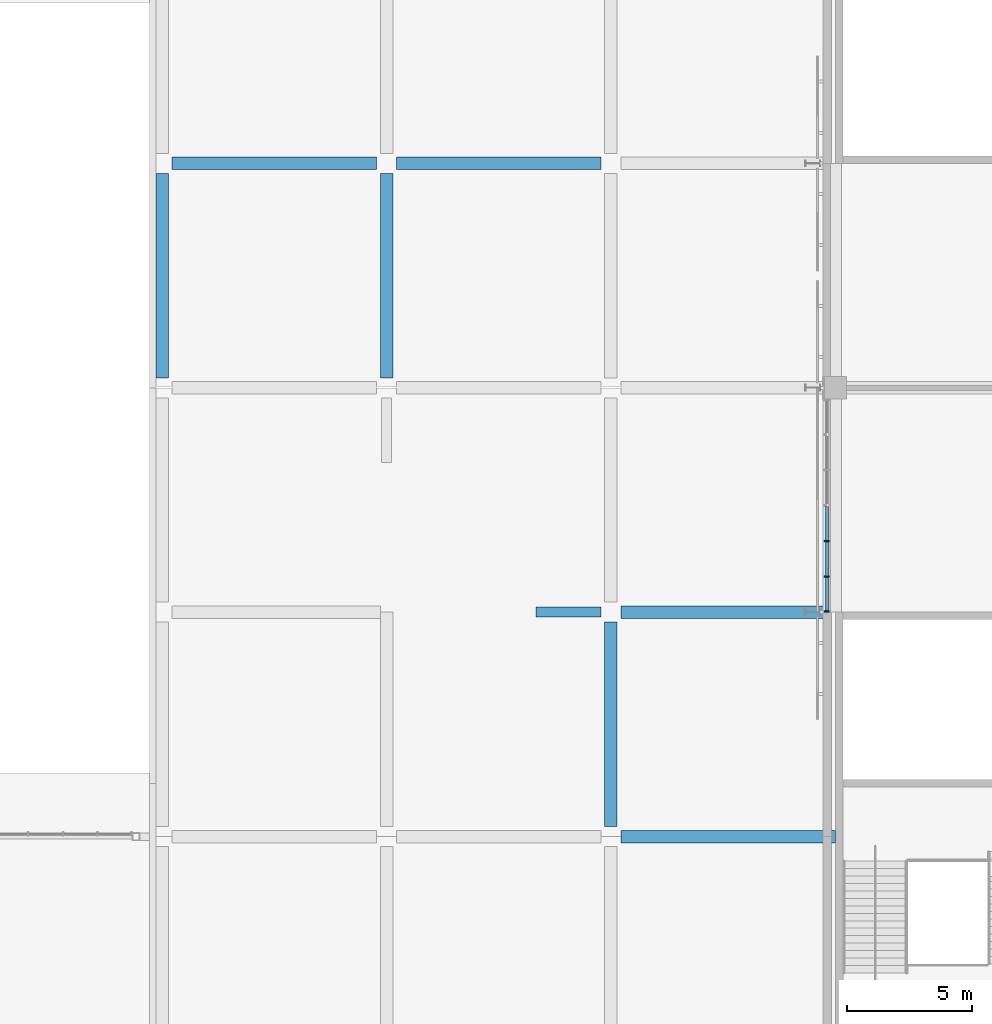
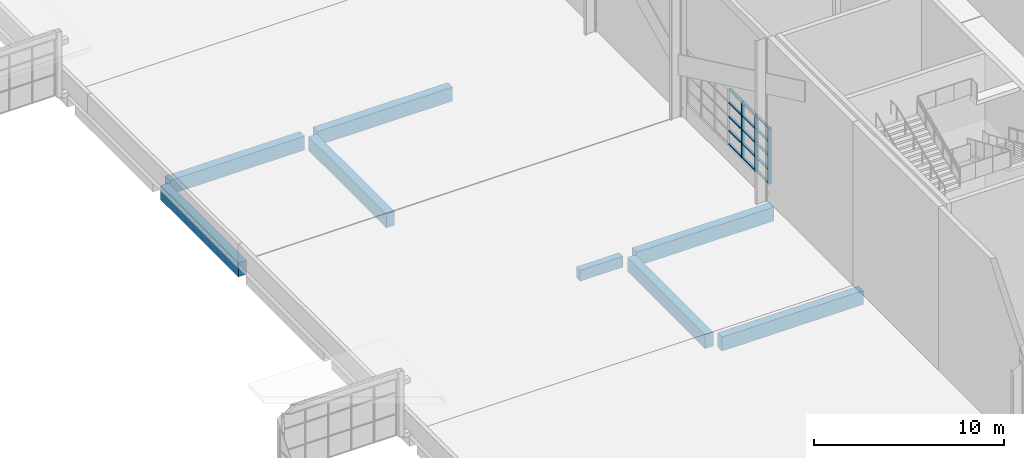
# One storey, part 27 of 182: 18 members, 8 beams, 1 element without a shape of its own.
"""IFC4 building model written with IfcOpenShell, lengths in metres."""

import ifcopenshell
import ifcopenshell.guid

model = None  # the IFC model being written
_history = None  # IfcOwnerHistory: only IFC2X3 demands one
_inside = {}  # id of a spatial element -> (the spatial element, [elements in it])
_under = {}  # id of a project, library or spatial element -> (it, [spatial elements below it])
_declared = {}  # id of a project -> (the project, [libraries it declares])
_typed = {}  # id of a type object -> (the type object, [elements of that type])
_made_of = {}  # id of a material, layer set ... -> (it, [elements and type objects made of it])


def new_model(schema):
    """Start an empty IFC model of exactly this schema.

    Asked for "IFC4X3", IfcOpenShell would pick the latest addendum, in which some entities
    have other attributes; the version numbers below select the first issue.
    IFC2X3 requires an IfcOwnerHistory on every rooted entity: one is made here for all.
    """
    global model, _history
    if schema == "IFC4X3":
        model = ifcopenshell.file(schema_version=(4, 3, 0, 0))
    else:
        model = ifcopenshell.file(schema=schema)
    _inside.clear()
    _under.clear()
    _declared.clear()
    _typed.clear()
    _made_of.clear()
    _history = None
    if model.schema == "IFC2X3":
        org = make("IfcOrganization", Name="unknown")
        user = make(
            "IfcPersonAndOrganization",
            ThePerson=make("IfcPerson", FamilyName="unknown"),
            TheOrganization=org,
        )
        app = make(
            "IfcApplication",
            ApplicationDeveloper=org,
            Version="unknown",
            ApplicationFullName="unknown",
            ApplicationIdentifier="unknown",
        )
        _history = make(
            "IfcOwnerHistory",
            OwningUser=user,
            OwningApplication=app,
            ChangeAction="ADDED",
            CreationDate=0,
        )
    return model


def make(cls, **values):
    """One entity of the class cls with the attributes given. An attribute that is None is left unset."""
    return model.create_entity(
        cls, **{name: value for name, value in values.items() if value is not None}
    )


def rooted(cls, **values):
    """An entity with a GlobalId (a new one), such as an element, a storey or a relation."""
    return make(cls, GlobalId=ifcopenshell.guid.new(), OwnerHistory=_history, **values)


def si_unit(unit_type, name, prefix=None):
    """IfcSIUnit, for example si_unit("LENGTHUNIT", "METRE", prefix="MILLI")."""
    return make("IfcSIUnit", UnitType=unit_type, Prefix=prefix, Name=name)


def assignment(units):
    """IfcUnitAssignment: the units of a project."""
    return None if units is None else make("IfcUnitAssignment", Units=units)


def point(xyz):
    """IfcCartesianPoint."""
    return None if xyz is None else make("IfcCartesianPoint", Coordinates=xyz)


def direction(xyz):
    """IfcDirection."""
    return None if xyz is None else make("IfcDirection", DirectionRatios=xyz)


def frame(location, z_axis=None, x_axis=None):
    """IfcAxis2Placement3D, a coordinate frame: its origin and axes. An axis left out is left unset."""
    return make(
        "IfcAxis2Placement3D",
        Location=point(location),
        Axis=direction(z_axis),
        RefDirection=direction(x_axis),
    )


def frame_2d(location, x_axis=None):
    """IfcAxis2Placement2D, a coordinate frame in the plane: its origin and x axis."""
    return make(
        "IfcAxis2Placement2D", Location=point(location), RefDirection=direction(x_axis)
    )


def origin():
    """The frame at (0, 0, 0) with its axes left unset."""
    return frame((0.0, 0.0, 0.0))


def origin_2d():
    """The frame at (0, 0) in the plane with its x axis left unset."""
    return frame_2d((0.0, 0.0))


def place(relative_to, where):
    """IfcLocalPlacement: puts the frame where relative to a parent placement (None: the world)."""
    return make(
        "IfcLocalPlacement", PlacementRelTo=relative_to, RelativePlacement=where
    )


def context(
    kind, dimensions, precision=None, world=None, true_north=None, identifier=None
):
    """IfcGeometricRepresentationContext, for example the 3D "Model" context."""
    return make(
        "IfcGeometricRepresentationContext",
        ContextIdentifier=identifier,
        ContextType=kind,
        CoordinateSpaceDimension=dimensions,
        Precision=precision,
        WorldCoordinateSystem=world,
        TrueNorth=true_north,
    )


def subcontext(parent, identifier, kind, view, scale=None):
    """IfcGeometricRepresentationSubContext, for example "Body" below "Model"."""
    return make(
        "IfcGeometricRepresentationSubContext",
        ContextIdentifier=identifier,
        ContextType=kind,
        ParentContext=parent,
        TargetScale=scale,
        TargetView=view,
    )


def project(units=None, contexts=None):
    """IfcProject with its units and contexts."""
    return rooted(
        "IfcProject",
        Name="project",
        RepresentationContexts=contexts,
        UnitsInContext=assignment(units),
    )


def spatial(cls, under=None, at=None, **own):
    """A site, building, storey or space (cls), placed at a placement, below another one or the project."""
    s = rooted(cls, ObjectPlacement=at, **own)
    if under is not None:
        _under.setdefault(under.id(), (under, []))[1].append(s)
    return s


def profile(cls, at=None, kind="AREA", **sizes):
    """A parametric profile (cls). Its sizes go by their IFC names, for example OverallWidth=200.0."""
    return make(cls, ProfileType=kind, Position=at, **sizes)


def rectangle(**sizes):
    """IfcRectangleProfileDef."""
    return profile("IfcRectangleProfileDef", **sizes)


def extrude(swept, where, along, depth):
    """IfcExtrudedAreaSolid: the profile swept, set in the frame where, extruded along a direction by depth."""
    return make(
        "IfcExtrudedAreaSolid",
        SweptArea=swept,
        Position=where,
        ExtrudedDirection=direction(along),
        Depth=depth,
    )


def shape(context_of_items, identifier, shape_type, items):
    """IfcShapeRepresentation: the items that make up one representation, for example the "Body"."""
    return make(
        "IfcShapeRepresentation",
        ContextOfItems=context_of_items,
        RepresentationIdentifier=identifier,
        RepresentationType=shape_type,
        Items=items,
    )


def material(Name=None, Category=None):
    """IfcMaterial."""
    return make("IfcMaterial", Name=Name, Category=Category)


def material_profile(
    of_material, cross_section, Name=None, Category=None, Priority=None
):
    """IfcMaterialProfile: a cross section and its material."""
    return make(
        "IfcMaterialProfile",
        Name=Name,
        Material=of_material,
        Profile=cross_section,
        Priority=Priority,
        Category=Category,
    )


def profile_set(profiles, Name=None, composite=None):
    """IfcMaterialProfileSet."""
    return make(
        "IfcMaterialProfileSet",
        Name=Name,
        MaterialProfiles=profiles,
        CompositeProfile=composite,
    )


def made_of(thing, what):
    """Note that an element or type object is made of a material, layer set ...; save() writes the relation."""
    if what is not None:
        _made_of.setdefault(what.id(), (what, []))[1].append(thing)
    return thing


def type_object(cls, material=None, **own):
    """A type object (cls), such as IfcWallType, which elements share."""
    return made_of(rooted(cls, **own), material)


def element(
    cls,
    number,
    at=None,
    inside=None,
    cuts=None,
    type_object=None,
    material=None,
    context=None,
    identifier="Body",
    shape_type=None,
    held_by="IfcProductDefinitionShape",
    body=None,
    shapes=None,
    **own,
):
    """One element of the class cls, such as IfcWall. Its Tag is "e" and its number.

    at: its placement. inside: the storey or other place that contains it. cuts: it is an
    opening in that element (IfcRelVoidsElement). A single representation is given by context,
    identifier, shape_type and body (its items); several are given by shapes. held_by: the class
    of the entity that holds the representations. save() writes the other relations.
    """
    e = rooted(cls, Tag="e%d" % number, ObjectPlacement=at, **own)
    if body is not None:
        shapes = [shape(context, identifier, shape_type, body)]
    if shapes is not None:
        e.Representation = make(held_by, Representations=shapes)
    if inside is not None:
        _inside.setdefault(inside.id(), (inside, []))[1].append(e)
    if cuts is not None:
        rooted(
            "IfcRelVoidsElement", RelatingBuildingElement=cuts, RelatedOpeningElement=e
        )
    if type_object is not None:
        _typed.setdefault(type_object.id(), (type_object, []))[1].append(e)
    return made_of(e, material)


def aggregate(whole, parts):
    """IfcRelAggregates: a whole, such as a stair, and the parts it consists of."""
    return rooted("IfcRelAggregates", RelatingObject=whole, RelatedObjects=parts)


def save(model, path):
    """Write the relations noted so far, then the file.

    IfcRelAggregates (storeys below a building ...), IfcRelContainedInSpatialStructure (elements
    in a storey), IfcRelDefinesByType, IfcRelAssociatesMaterial and IfcRelDeclares: one each for
    every whole, place, type object, material and project.
    """
    for whole, parts in _under.values():
        aggregate(whole, parts)
    for where, things in _inside.values():
        rooted(
            "IfcRelContainedInSpatialStructure",
            RelatedElements=things,
            RelatingStructure=where,
        )
    for kind, things in _typed.values():
        rooted("IfcRelDefinesByType", RelatedObjects=things, RelatingType=kind)
    for what, things in _made_of.values():
        rooted("IfcRelAssociatesMaterial", RelatedObjects=things, RelatingMaterial=what)
    for by, libraries in _declared.values():
        rooted("IfcRelDeclares", RelatingContext=by, RelatedDefinitions=libraries)
    model.write(path)


model = new_model("IFC4")

# Units and contexts
model_context = context("Model", 3, precision=1e-05, world=origin(), true_north=direction((0.0, 1.0)))
body_context = subcontext(model_context, "Body", "Model", "MODEL_VIEW")
ifc_project = project(units=[si_unit("LENGTHUNIT", "METRE"), si_unit("AREAUNIT", "SQUARE_METRE"), si_unit("VOLUMEUNIT", "CUBIC_METRE"), si_unit("PLANEANGLEUNIT", "RADIAN"), si_unit("MASSUNIT", "GRAM", prefix="KILO")], contexts=[model_context])

# Site, building, storey
site_placement = place(None, origin())
site = spatial("IfcSite", under=ifc_project, at=site_placement, CompositionType="ELEMENT")
building_placement = place(site_placement, origin())
building = spatial("IfcBuilding", under=site, at=building_placement, Name="Silverbay Arena", CompositionType="ELEMENT")
storey_placement = place(building_placement, frame((0.0, 0.0, 11.5)))
storey = spatial("IfcBuildingStorey", under=building, at=storey_placement, Name="L02", CompositionType="ELEMENT", Elevation=11.5)

# Curtain wall, members
ifc_material_1 = material(Name="Aluminium framed curtain wall", Category="aluminium")
curtain_wall_type = type_object("IfcCurtainWallType", Name="Curtain wall 8550 x 3600", PredefinedType="NOTDEFINED", material=ifc_material_1)
curtain_wall_placement = place(storey_placement, origin())
curtain_wall = element("IfcCurtainWall", 1, at=curtain_wall_placement, inside=storey, type_object=curtain_wall_type, Name="West curtain wall L02 bay 7", PredefinedType="NOTDEFINED")
ifc_material_2 = material(Name="Aluminium", Category="aluminium")
ifc_material_profile_1 = material_profile(ifc_material_2, rectangle(XDim=0.199951171875, YDim=0.06005859375, at=origin_2d()), Name="Mullion 60 x 200")
ifc_profile_set_1 = profile_set([ifc_material_profile_1], Name="Aluminium")
member_type_1 = type_object("IfcMemberType", Name="Mullion 60 x 200", PredefinedType="MULLION", material=ifc_profile_set_1)
member_1_placement = place(storey_placement, frame((53.64990234375, 74.85009765625, 1.0), z_axis=(0.0, 0.0, 1.0), x_axis=(1.0, 0.0, 0.0)))
member_1 = element("IfcMember", 2, at=member_1_placement, type_object=member_type_1, Name="CW10 mullion 5", PredefinedType="MULLION", context=body_context, shape_type="SweptSolid", body=[
    extrude(rectangle(XDim=0.199951171875, YDim=0.06005859375, at=origin_2d()), origin(), (0.0, 0.0, 1.0), 3.60009765625),
])
member_2_placement = place(storey_placement, frame((53.64990234375, 73.425048828125, 1.0), z_axis=(0.0, 0.0, 1.0), x_axis=(1.0, 0.0, 0.0)))
member_2 = element("IfcMember", 3, at=member_2_placement, type_object=member_type_1, Name="CW10 mullion 6", PredefinedType="MULLION", context=body_context, shape_type="SweptSolid", body=[
    extrude(rectangle(XDim=0.199951171875, YDim=0.06005859375, at=origin_2d()), origin(), (0.0, 0.0, 1.0), 3.60009765625),
])
member_3_placement = place(storey_placement, frame((53.64990234375, 72.030029296875, 1.0), z_axis=(0.0, 0.0, 1.0), x_axis=(1.0, 0.0, 0.0)))
member_3 = element("IfcMember", 4, at=member_3_placement, type_object=member_type_1, Name="CW10 mullion 7", PredefinedType="MULLION", context=body_context, shape_type="SweptSolid", body=[
    extrude(rectangle(XDim=0.199951171875, YDim=0.06005859375, at=origin_2d()), origin(), (0.0, 0.0, 1.0), 3.60009765625),
])

# Beams
ifc_material_3 = material(Name="Concrete Grade C45", Category="concrete")
ifc_material_profile_2 = material_profile(ifc_material_3, rectangle(XDim=0.39990234375, YDim=0.699951171875, at=origin_2d()), Name="RC 400x700")
ifc_profile_set_2 = profile_set([ifc_material_profile_2], Name="Concrete Grade C45")
beam_type_1 = type_object("IfcBeamType", Name="RC beam 400x700", PredefinedType="BEAM", material=ifc_profile_set_2)
beam_1_placement = place(storey_placement, frame((42.0, 72.0, -0.699951171875), z_axis=(1.0, 0.0, 0.0), x_axis=(0.0, 1.0, 0.0)))
element("IfcBeam", 5, at=beam_1_placement, inside=storey, type_object=beam_type_1, Name="Floor beam L02 073", PredefinedType="BEAM", context=body_context, shape_type="SweptSolid", body=[
    extrude(rectangle(XDim=0.39990234375, YDim=0.699951171875, at=origin_2d()), origin(), (0.0, 0.0, 1.0), 2.60009765625),
])
ifc_material_4 = material(Name="Concrete Grade C45", Category="concrete")
ifc_material_profile_3 = material_profile(ifc_material_4, rectangle(XDim=0.5, YDim=0.89990234375, at=origin_2d()), Name="RC 500x900")
ifc_profile_set_3 = profile_set([ifc_material_profile_3], Name="Concrete Grade C45")
beam_type_2 = type_object("IfcBeamType", Name="RC beam 500x900", PredefinedType="BEAM", material=ifc_profile_set_3)
beam_2_placement = place(storey_placement, frame((45.39990234375, 63.0, -0.800048828125), z_axis=(1.0, 0.0, 0.0), x_axis=(0.0, 1.0, 0.0)))
element("IfcBeam", 6, at=beam_2_placement, inside=storey, type_object=beam_type_2, Name="Floor beam L02 064", PredefinedType="BEAM", context=body_context, shape_type="SweptSolid", body=[
    extrude(rectangle(XDim=0.5, YDim=0.89990234375, at=origin_2d()), origin(), (0.0, 0.0, 1.0), 8.60009765625),
])
beam_3_placement = place(storey_placement, frame((45.39990234375, 72.0, -0.800048828125), z_axis=(1.0, 0.0, 0.0), x_axis=(0.0, 1.0, 0.0)))
element("IfcBeam", 7, at=beam_3_placement, inside=storey, type_object=beam_type_2, Name="Floor beam L02 074", PredefinedType="BEAM", context=body_context, shape_type="SweptSolid", body=[
    extrude(rectangle(XDim=0.5, YDim=0.89990234375, at=origin_2d()), origin(), (0.0, 0.0, 1.0), 8.35009765625),
])
for number, where, z_axis, x_axis, name in (
    (8, (27.39990234375, 90.0, -0.800048828125), (1.0, 0.0, 0.0), (0.0, 1.0, 0.0), "Floor beam L02 098"),
    (9, (36.39990234375, 90.0, -0.800048828125), (1.0, 0.0, 0.0), (0.0, 1.0, 0.0), "Floor beam L02 099"),
    (10, (27.0, 81.39990234375, -0.800048828125), (0.0, 1.0, 0.0), (-1.0, 0.0, 0.0), "Floor beam L02 186"),
    (11, (36.0, 81.39990234375, -0.800048828125), (0.0, 1.0, 0.0), (-1.0, 0.0, 0.0), "Floor beam L02 196"),
    (12, (45.0, 63.39990234375, -0.800048828125), (0.0, 1.0, 0.0), (-1.0, 0.0, 0.0), "Floor beam L02 206"),
):
    element("IfcBeam", number, at=place(storey_placement, frame(where, z_axis=z_axis, x_axis=x_axis)), inside=storey, type_object=beam_type_2, Name=name, PredefinedType="BEAM", context=body_context, shape_type="SweptSolid", body=[
        extrude(rectangle(XDim=0.5, YDim=0.89990234375, at=origin_2d()), origin(), (0.0, 0.0, 1.0), 8.2001953125),
    ])

# Member
ifc_material_5 = material(Name="Aluminium", Category="aluminium")
ifc_material_profile_4 = material_profile(ifc_material_5, rectangle(XDim=0.14990234375, YDim=0.050048828125, at=origin_2d()), Name="Transom 50 x 150")
ifc_profile_set_4 = profile_set([ifc_material_profile_4], Name="Aluminium")
member_type_2 = type_object("IfcMemberType", Name="Transom 50 x 150", PredefinedType="USERDEFINED", material=ifc_profile_set_4)
member_4_placement = place(storey_placement, frame((53.64990234375, 76.2451171875, 1.02490234375), z_axis=(0.0, -1.0, 0.0), x_axis=(1.0, 0.0, 0.0)))
member_4 = element("IfcMember", 13, at=member_4_placement, type_object=member_type_2, Name="CW10 transom 4.1", ObjectType="TRANSOM", PredefinedType="USERDEFINED", context=body_context, shape_type="SweptSolid", body=[
    extrude(rectangle(XDim=0.14990234375, YDim=0.050048828125, at=origin_2d()), origin(), (0.0, 0.0, 1.0), 1.365234375),
])

member_5_placement = place(storey_placement, frame((53.64990234375, 76.2451171875, 1.89990234375), z_axis=(0.0, -1.0, 0.0), x_axis=(1.0, 0.0, 0.0)))
member_5 = element("IfcMember", 14, at=member_5_placement, type_object=member_type_2, Name="CW10 transom 4.2", ObjectType="TRANSOM", PredefinedType="USERDEFINED", context=body_context, shape_type="SweptSolid", body=[
    extrude(rectangle(XDim=0.14990234375, YDim=0.050048828125, at=origin_2d()), origin(), (0.0, 0.0, 1.0), 1.365234375),
])

member_6_placement = place(storey_placement, frame((53.64990234375, 76.2451171875, 2.800048828125), z_axis=(0.0, -1.0, 0.0), x_axis=(1.0, 0.0, 0.0)))
member_6 = element("IfcMember", 15, at=member_6_placement, type_object=member_type_2, Name="CW10 transom 4.3", ObjectType="TRANSOM", PredefinedType="USERDEFINED", context=body_context, shape_type="SweptSolid", body=[
    extrude(rectangle(XDim=0.14990234375, YDim=0.050048828125, at=origin_2d()), origin(), (0.0, 0.0, 1.0), 1.365234375),
])

member_7_placement = place(storey_placement, frame((53.64990234375, 76.2451171875, 3.699951171875), z_axis=(0.0, -1.0, 0.0), x_axis=(1.0, 0.0, 0.0)))
member_7 = element("IfcMember", 16, at=member_7_placement, type_object=member_type_2, Name="CW10 transom 4.4", ObjectType="TRANSOM", PredefinedType="USERDEFINED", context=body_context, shape_type="SweptSolid", body=[
    extrude(rectangle(XDim=0.14990234375, YDim=0.050048828125, at=origin_2d()), origin(), (0.0, 0.0, 1.0), 1.365234375),
])

member_8_placement = place(storey_placement, frame((53.64990234375, 76.2451171875, 4.574951171875), z_axis=(0.0, -1.0, 0.0), x_axis=(1.0, 0.0, 0.0)))
member_8 = element("IfcMember", 17, at=member_8_placement, type_object=member_type_2, Name="CW10 transom 4.5", ObjectType="TRANSOM", PredefinedType="USERDEFINED", context=body_context, shape_type="SweptSolid", body=[
    extrude(rectangle(XDim=0.14990234375, YDim=0.050048828125, at=origin_2d()), origin(), (0.0, 0.0, 1.0), 1.365234375),
])

member_9_placement = place(storey_placement, frame((53.64990234375, 74.820068359375, 1.02490234375), z_axis=(0.0, -1.0, 0.0), x_axis=(1.0, 0.0, 0.0)))
member_9 = element("IfcMember", 18, at=member_9_placement, type_object=member_type_2, Name="CW10 transom 5.1", ObjectType="TRANSOM", PredefinedType="USERDEFINED", context=body_context, shape_type="SweptSolid", body=[
    extrude(rectangle(XDim=0.14990234375, YDim=0.050048828125, at=origin_2d()), origin(), (0.0, 0.0, 1.0), 1.364990234375),
])

member_10_placement = place(storey_placement, frame((53.64990234375, 74.820068359375, 1.89990234375), z_axis=(0.0, -1.0, 0.0), x_axis=(1.0, 0.0, 0.0)))
member_10 = element("IfcMember", 19, at=member_10_placement, type_object=member_type_2, Name="CW10 transom 5.2", ObjectType="TRANSOM", PredefinedType="USERDEFINED", context=body_context, shape_type="SweptSolid", body=[
    extrude(rectangle(XDim=0.14990234375, YDim=0.050048828125, at=origin_2d()), origin(), (0.0, 0.0, 1.0), 1.364990234375),
])

member_11_placement = place(storey_placement, frame((53.64990234375, 74.820068359375, 2.800048828125), z_axis=(0.0, -1.0, 0.0), x_axis=(1.0, 0.0, 0.0)))
member_11 = element("IfcMember", 20, at=member_11_placement, type_object=member_type_2, Name="CW10 transom 5.3", ObjectType="TRANSOM", PredefinedType="USERDEFINED", context=body_context, shape_type="SweptSolid", body=[
    extrude(rectangle(XDim=0.14990234375, YDim=0.050048828125, at=origin_2d()), origin(), (0.0, 0.0, 1.0), 1.364990234375),
])

member_12_placement = place(storey_placement, frame((53.64990234375, 74.820068359375, 3.699951171875), z_axis=(0.0, -1.0, 0.0), x_axis=(1.0, 0.0, 0.0)))
member_12 = element("IfcMember", 21, at=member_12_placement, type_object=member_type_2, Name="CW10 transom 5.4", ObjectType="TRANSOM", PredefinedType="USERDEFINED", context=body_context, shape_type="SweptSolid", body=[
    extrude(rectangle(XDim=0.14990234375, YDim=0.050048828125, at=origin_2d()), origin(), (0.0, 0.0, 1.0), 1.364990234375),
])

member_13_placement = place(storey_placement, frame((53.64990234375, 74.820068359375, 4.574951171875), z_axis=(0.0, -1.0, 0.0), x_axis=(1.0, 0.0, 0.0)))
member_13 = element("IfcMember", 22, at=member_13_placement, type_object=member_type_2, Name="CW10 transom 5.5", ObjectType="TRANSOM", PredefinedType="USERDEFINED", context=body_context, shape_type="SweptSolid", body=[
    extrude(rectangle(XDim=0.14990234375, YDim=0.050048828125, at=origin_2d()), origin(), (0.0, 0.0, 1.0), 1.364990234375),
])

member_14_placement = place(storey_placement, frame((53.64990234375, 73.39501953125, 1.02490234375), z_axis=(0.0, -1.0, 0.0), x_axis=(1.0, 0.0, 0.0)))
member_14 = element("IfcMember", 23, at=member_14_placement, type_object=member_type_2, Name="CW10 transom 6.1", ObjectType="TRANSOM", PredefinedType="USERDEFINED", context=body_context, shape_type="SweptSolid", body=[
    extrude(rectangle(XDim=0.14990234375, YDim=0.050048828125, at=origin_2d()), origin(), (0.0, 0.0, 1.0), 1.3349609375),
])

member_15_placement = place(storey_placement, frame((53.64990234375, 73.39501953125, 1.89990234375), z_axis=(0.0, -1.0, 0.0), x_axis=(1.0, 0.0, 0.0)))
member_15 = element("IfcMember", 24, at=member_15_placement, type_object=member_type_2, Name="CW10 transom 6.2", ObjectType="TRANSOM", PredefinedType="USERDEFINED", context=body_context, shape_type="SweptSolid", body=[
    extrude(rectangle(XDim=0.14990234375, YDim=0.050048828125, at=origin_2d()), origin(), (0.0, 0.0, 1.0), 1.3349609375),
])

member_16_placement = place(storey_placement, frame((53.64990234375, 73.39501953125, 2.800048828125), z_axis=(0.0, -1.0, 0.0), x_axis=(1.0, 0.0, 0.0)))
member_16 = element("IfcMember", 25, at=member_16_placement, type_object=member_type_2, Name="CW10 transom 6.3", ObjectType="TRANSOM", PredefinedType="USERDEFINED", context=body_context, shape_type="SweptSolid", body=[
    extrude(rectangle(XDim=0.14990234375, YDim=0.050048828125, at=origin_2d()), origin(), (0.0, 0.0, 1.0), 1.3349609375),
])

member_17_placement = place(storey_placement, frame((53.64990234375, 73.39501953125, 3.699951171875), z_axis=(0.0, -1.0, 0.0), x_axis=(1.0, 0.0, 0.0)))
member_17 = element("IfcMember", 26, at=member_17_placement, type_object=member_type_2, Name="CW10 transom 6.4", ObjectType="TRANSOM", PredefinedType="USERDEFINED", context=body_context, shape_type="SweptSolid", body=[
    extrude(rectangle(XDim=0.14990234375, YDim=0.050048828125, at=origin_2d()), origin(), (0.0, 0.0, 1.0), 1.3349609375),
])

member_18_placement = place(storey_placement, frame((53.64990234375, 73.39501953125, 4.574951171875), z_axis=(0.0, -1.0, 0.0), x_axis=(1.0, 0.0, 0.0)))
member_18 = element("IfcMember", 27, at=member_18_placement, type_object=member_type_2, Name="CW10 transom 6.5", ObjectType="TRANSOM", PredefinedType="USERDEFINED", context=body_context, shape_type="SweptSolid", body=[
    extrude(rectangle(XDim=0.14990234375, YDim=0.050048828125, at=origin_2d()), origin(), (0.0, 0.0, 1.0), 1.3349609375),
])

aggregate(curtain_wall, [member_1, member_2, member_3, member_4, member_5, member_6, member_7, member_8, member_9, member_10, member_11, member_12, member_13, member_14, member_15, member_16, member_17, member_18])

save(model, "model.ifc")
